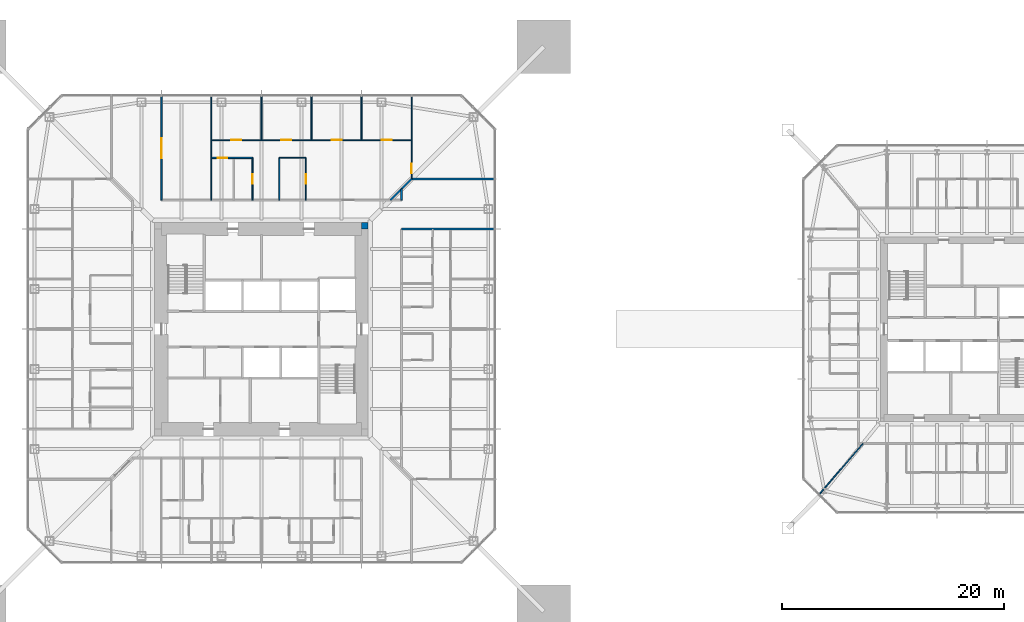
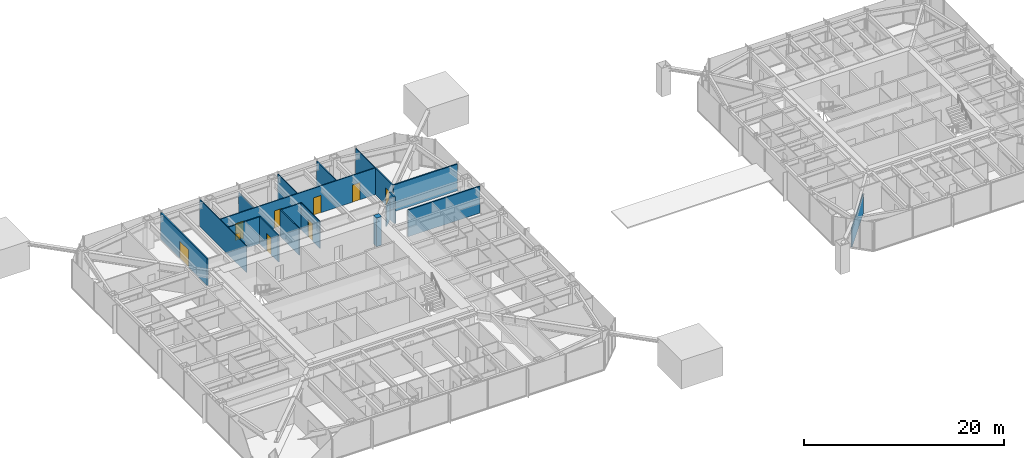
# One storey, part 16 of 25: 18 walls, 9 doors, 9 openings.
"""IFC4 building model written with IfcOpenShell, lengths in metres."""

from ifc_helpers import new_model, si_unit, direction, frame, frame_2d, origin, place, context, subcontext, project, spatial, rectangle, extrude, material, layer, layer_set, type_object, element, fill, save


model = new_model("IFC4")

# Units and contexts
model_context = context("Model", 3, precision=1e-05, world=origin(), true_north=direction((0.0, 1.0)))
body_context = subcontext(model_context, "Body", "Model", "MODEL_VIEW")
ifc_project = project(units=[si_unit("LENGTHUNIT", "METRE"), si_unit("AREAUNIT", "SQUARE_METRE"), si_unit("VOLUMEUNIT", "CUBIC_METRE"), si_unit("PLANEANGLEUNIT", "RADIAN"), si_unit("MASSUNIT", "GRAM", prefix="KILO")], contexts=[model_context])

# Site, building, storey
site_placement = place(None, origin())
site = spatial("IfcSite", under=ifc_project, at=site_placement, CompositionType="ELEMENT")
building_placement = place(site_placement, origin())
building = spatial("IfcBuilding", under=site, at=building_placement, Name="Iwan Alto Co-Living Towers", CompositionType="ELEMENT")
storey_placement = place(building_placement, frame((0.0, 0.0, 101.5)))
storey = spatial("IfcBuildingStorey", under=building, at=storey_placement, Name="L27", CompositionType="ELEMENT", Elevation=101.5)

# Walls
ifc_material_1 = material(Name="Gypsum board")
ifc_layer_1 = layer(ifc_material_1, 0.02490234375, Name="Board", Category="Finish")
ifc_material_2 = material(Name="Steel ASTM A1003 ST33H cold-formed studs", Category="steel")
ifc_layer_2 = layer(ifc_material_2, 0.10009765625, Name="Studs", Category="Framing")
ifc_layer_3 = layer(ifc_material_1, 0.02490234375, Name="Board", Category="Finish")
ifc_layer_set_1 = layer_set([ifc_layer_1, ifc_layer_2, ifc_layer_3], Name="CORRIDOR WALL 150")
wall_type_1 = type_object("IfcWallType", Name="CORRIDOR WALL 150", PredefinedType="PARTITIONING", material=ifc_layer_set_1)
wall_1_placement = place(storey_placement, frame((12.60009765625, 9.0, 0.0), z_axis=(0.0, 0.0, 1.0), x_axis=(1.0, 0.0, 0.0)))
element("IfcWall", 1, at=wall_1_placement, inside=storey, type_object=wall_type_1, Name="Partition L27", PredefinedType="PARTITIONING", context=body_context, shape_type="SweptSolid", body=[
    extrude(rectangle(XDim=8.33984375, YDim=0.14990234375, at=frame_2d((4.169921875, 0.0))), origin(), (0.0, 0.0, 1.0), 3.27001953125),
])
wall_2_placement = place(storey_placement, frame((13.5, 13.5, 0.0), z_axis=(0.0, 0.0, 1.0), x_axis=(1.0, 0.0, 0.0)))
element("IfcWall", 2, at=wall_2_placement, inside=storey, type_object=wall_type_1, Name="Partition L27", PredefinedType="PARTITIONING", context=body_context, shape_type="SweptSolid", body=[
    extrude(rectangle(XDim=7.43994140625, YDim=0.14990234375, at=frame_2d((3.719970703125, 0.0))), origin(), (0.0, 0.0, 1.0), 3.27001953125),
])
wall_3_placement = place(storey_placement, frame((11.60009765625, 11.60009765625, 0.0), z_axis=(0.0, 0.0, 1.0), x_axis=(0.707106781187, 0.707106781187, 0.0)))
element("IfcWall", 3, at=wall_3_placement, inside=storey, type_object=wall_type_1, Name="Partition L27", PredefinedType="PARTITIONING", context=body_context, shape_type="SweptSolid", body=[
    extrude(rectangle(XDim=2.686767578125, YDim=0.14990234375, at=frame_2d((1.34326171875, 0.0))), origin(), (0.0, 0.0, 1.0), 2.343017578125),
])
wall_4_placement = place(storey_placement, frame((12.60009765625, 11.60009765625, 0.0), z_axis=(0.0, 0.0, 1.0), x_axis=(0.0, 1.0, 0.0)))
element("IfcWall", 4, at=wall_4_placement, inside=storey, type_object=wall_type_1, Name="Partition L27", PredefinedType="PARTITIONING", context=body_context, shape_type="SweptSolid", body=[
    extrude(rectangle(XDim=1.0, YDim=0.14990234375, at=frame_2d((0.5, 0.0))), origin(), (0.0, 0.0, 1.0), 3.27001953125),
])

# Wall, opening, door
wall_5_placement = place(storey_placement, frame((-9.0, 11.60009765625, 0.0), z_axis=(0.0, 0.0, 1.0), x_axis=(0.0, 1.0, 0.0)))
wall_5 = element("IfcWall", 5, at=wall_5_placement, inside=storey, type_object=wall_type_1, Name="Partition L27", PredefinedType="PARTITIONING", context=body_context, shape_type="SweptSolid", body=[
    extrude(rectangle(XDim=9.33984375, YDim=0.14990234375, at=frame_2d((4.669921875, 0.0))), origin(), (0.0, 0.0, 1.0), 3.27001953125),
])
opening_1_placement = place(wall_5_placement, frame((3.77001953125, 0.0, 0.0)))
opening_1 = element("IfcOpeningElement", 6, at=opening_1_placement, cuts=wall_5, Name="Opening D9", PredefinedType="OPENING", context=body_context, shape_type="SweptSolid", body=[
    extrude(rectangle(XDim=1.800048828125, YDim=2.10009765625, at=frame_2d((0.89990234375, 1.050048828125))), frame((0.0, 0.0849609375, 0.0), z_axis=(0.0, -1.0, 0.0), x_axis=(1.0, 0.0, 0.0)), (0.0, 0.0, 1.0), 0.169921875),
])
ifc_material_3 = material(Name="Steel frame with timber leaf", Category="steel")
door_type_1 = type_object("IfcDoorType", Name="LOUNGE DOOR FD30S 1800X2100", OperationType="DOUBLE_DOOR_SINGLE_SWING", PredefinedType="DOOR", material=ifc_material_3)
door_1_placement = place(opening_1_placement, frame((1.800048828125, 0.0, 0.0), z_axis=(0.0, 0.0, 1.0), x_axis=(-1.0, 0.0, 0.0)))
door_1 = element("IfcDoor", 7, at=door_1_placement, inside=storey, type_object=door_type_1, Name="Seminar room door L27", OperationType="DOUBLE_DOOR_SINGLE_SWING", OverallHeight=2.10009765625, OverallWidth=1.800048828125, PredefinedType="DOOR", context=body_context, shape_type="SweptSolid", body=[
    extrude(rectangle(XDim=1.800048828125, YDim=2.10009765625, at=frame_2d((0.89990234375, 1.050048828125))), frame((0.0, 0.02490234375, 0.0), z_axis=(0.0, -1.0, 0.0), x_axis=(1.0, 0.0, 0.0)), (0.0, 0.0, 1.0), 0.050048828125),
])
fill(opening_1, door_1)

# Wall
ifc_layer_4 = layer(ifc_material_1, 0.012451171875, Name="Board", Category="Finish")
ifc_layer_5 = layer(ifc_material_2, 0.074951171875, Name="Studs", Category="Framing")
ifc_layer_6 = layer(ifc_material_1, 0.012451171875, Name="Board", Category="Finish")
ifc_layer_set_2 = layer_set([ifc_layer_4, ifc_layer_5, ifc_layer_6], Name="PARTITION 100")
wall_type_2 = type_object("IfcWallType", Name="PARTITION 100", PredefinedType="PARTITIONING", material=ifc_layer_set_2)
wall_6_placement = place(storey_placement, frame((1.60009765625, 15.39990234375, 0.0), z_axis=(0.0, 0.0, 1.0), x_axis=(1.0, 0.0, 0.0)))
element("IfcWall", 8, at=wall_6_placement, inside=storey, type_object=wall_type_2, Name="Partition L27", PredefinedType="PARTITIONING", context=body_context, shape_type="SweptSolid", body=[
    extrude(rectangle(XDim=2.39990234375, YDim=0.10009765625, at=frame_2d((1.199951171875, 0.0))), origin(), (0.0, 0.0, 1.0), 3.27001953125),
])

# Wall, openings, doors
wall_7_placement = place(storey_placement, frame((-4.5, 17.0, 0.0), z_axis=(0.0, 0.0, 1.0), x_axis=(1.0, 0.0, 0.0)))
wall_7 = element("IfcWall", 9, at=wall_7_placement, inside=storey, type_object=wall_type_2, Name="Partition L27", PredefinedType="PARTITIONING", context=body_context, shape_type="SweptSolid", body=[
    extrude(rectangle(XDim=18.0, YDim=0.10009765625, at=frame_2d((9.0, 0.0))), origin(), (0.0, 0.0, 1.0), 3.27001953125),
])
opening_2_placement = place(wall_7_placement, frame((15.300048828125, 0.0, 0.0)))
opening_2 = element("IfcOpeningElement", 10, at=opening_2_placement, cuts=wall_7, Name="Opening D1", PredefinedType="OPENING", context=body_context, shape_type="SweptSolid", body=[
    extrude(rectangle(XDim=0.89990234375, YDim=2.10009765625, at=frame_2d((0.449951171875, 1.050048828125))), frame((0.0, 0.06005859375, 0.0), z_axis=(0.0, -1.0, 0.0), x_axis=(1.0, 0.0, 0.0)), (0.0, 0.0, 1.0), 0.1201171875),
])
opening_3_placement = place(wall_7_placement, frame((10.800048828125, 0.0, 0.0)))
opening_3 = element("IfcOpeningElement", 11, at=opening_3_placement, cuts=wall_7, Name="Opening D1", PredefinedType="OPENING", context=body_context, shape_type="SweptSolid", body=[
    extrude(rectangle(XDim=0.89990234375, YDim=2.10009765625, at=frame_2d((0.449951171875, 1.050048828125))), frame((0.0, 0.06005859375, 0.0), z_axis=(0.0, -1.0, 0.0), x_axis=(1.0, 0.0, 0.0)), (0.0, 0.0, 1.0), 0.1201171875),
])
opening_4_placement = place(wall_7_placement, frame((6.300048828125, 0.0, 0.0)))
opening_4 = element("IfcOpeningElement", 12, at=opening_4_placement, cuts=wall_7, Name="Opening D1", PredefinedType="OPENING", context=body_context, shape_type="SweptSolid", body=[
    extrude(rectangle(XDim=0.89990234375, YDim=2.10009765625, at=frame_2d((0.449951171875, 1.050048828125))), frame((0.0, 0.06005859375, 0.0), z_axis=(0.0, -1.0, 0.0), x_axis=(1.0, 0.0, 0.0)), (0.0, 0.0, 1.0), 0.1201171875),
])
opening_5_placement = place(wall_7_placement, frame((1.800048828125, 0.0, 0.0)))
opening_5 = element("IfcOpeningElement", 13, at=opening_5_placement, cuts=wall_7, Name="Opening D1", PredefinedType="OPENING", context=body_context, shape_type="SweptSolid", body=[
    extrude(rectangle(XDim=0.89990234375, YDim=2.10009765625, at=frame_2d((0.449951171875, 1.050048828125))), frame((0.0, 0.06005859375, 0.0), z_axis=(0.0, -1.0, 0.0), x_axis=(1.0, 0.0, 0.0)), (0.0, 0.0, 1.0), 0.1201171875),
])
ifc_material_4 = material(Name="Timber leaf in steel frame", Category="steel")
door_type_2 = type_object("IfcDoorType", Name="BEDROOM DOOR 900X2100", OperationType="SINGLE_SWING_LEFT", PredefinedType="DOOR", material=ifc_material_4)
door_2_placement = place(opening_2_placement, frame((0.89990234375, 0.0, 0.0), z_axis=(0.0, 0.0, 1.0), x_axis=(-1.0, 0.0, 0.0)))
door_2 = element("IfcDoor", 14, at=door_2_placement, inside=storey, type_object=door_type_2, Name="Study bedroom door L27", OperationType="SINGLE_SWING_LEFT", OverallHeight=2.10009765625, OverallWidth=0.89990234375, PredefinedType="DOOR", context=body_context, shape_type="SweptSolid", body=[
    extrude(rectangle(XDim=0.89990234375, YDim=2.10009765625, at=frame_2d((0.449951171875, 1.050048828125))), frame((0.0, 0.02490234375, 0.0), z_axis=(0.0, -1.0, 0.0), x_axis=(1.0, 0.0, 0.0)), (0.0, 0.0, 1.0), 0.050048828125),
])
fill(opening_2, door_2)
door_3_placement = place(opening_3_placement, frame((0.89990234375, 0.0, 0.0), z_axis=(0.0, 0.0, 1.0), x_axis=(-1.0, 0.0, 0.0)))
door_3 = element("IfcDoor", 15, at=door_3_placement, inside=storey, type_object=door_type_2, Name="Study bedroom door L27", OperationType="SINGLE_SWING_LEFT", OverallHeight=2.10009765625, OverallWidth=0.89990234375, PredefinedType="DOOR", context=body_context, shape_type="SweptSolid", body=[
    extrude(rectangle(XDim=0.89990234375, YDim=2.10009765625, at=frame_2d((0.449951171875, 1.050048828125))), frame((0.0, 0.02490234375, 0.0), z_axis=(0.0, -1.0, 0.0), x_axis=(1.0, 0.0, 0.0)), (0.0, 0.0, 1.0), 0.050048828125),
])
fill(opening_3, door_3)
door_4_placement = place(opening_4_placement, frame((0.89990234375, 0.0, 0.0), z_axis=(0.0, 0.0, 1.0), x_axis=(-1.0, 0.0, 0.0)))
door_4 = element("IfcDoor", 16, at=door_4_placement, inside=storey, type_object=door_type_2, Name="Study bedroom door L27", OperationType="SINGLE_SWING_RIGHT", OverallHeight=2.10009765625, OverallWidth=0.89990234375, PredefinedType="DOOR", context=body_context, shape_type="SweptSolid", body=[
    extrude(rectangle(XDim=0.89990234375, YDim=2.10009765625, at=frame_2d((0.449951171875, 1.050048828125))), frame((0.0, 0.02490234375, 0.0), z_axis=(0.0, -1.0, 0.0), x_axis=(1.0, 0.0, 0.0)), (0.0, 0.0, 1.0), 0.050048828125),
])
fill(opening_4, door_4)
door_5_placement = place(opening_5_placement, frame((0.89990234375, 0.0, 0.0), z_axis=(0.0, 0.0, 1.0), x_axis=(-1.0, 0.0, 0.0)))
door_5 = element("IfcDoor", 17, at=door_5_placement, inside=storey, type_object=door_type_2, Name="Study bedroom door L27", OperationType="SINGLE_SWING_RIGHT", OverallHeight=2.10009765625, OverallWidth=0.89990234375, PredefinedType="DOOR", context=body_context, shape_type="SweptSolid", body=[
    extrude(rectangle(XDim=0.89990234375, YDim=2.10009765625, at=frame_2d((0.449951171875, 1.050048828125))), frame((0.0, 0.02490234375, 0.0), z_axis=(0.0, -1.0, 0.0), x_axis=(1.0, 0.0, 0.0)), (0.0, 0.0, 1.0), 0.050048828125),
])
fill(opening_5, door_5)

# Wall
wall_8_placement = place(storey_placement, frame((50.179931640625, -14.844970703125, 0.0), z_axis=(0.0, 0.0, 1.0), x_axis=(0.653585997703, 0.756852260092, 0.0)))
element("IfcWall", 18, at=wall_8_placement, inside=storey, type_object=wall_type_2, Name="Partition L27", PredefinedType="PARTITIONING", context=body_context, shape_type="SweptSolid", body=[
    extrude(rectangle(XDim=6.005126953125, YDim=0.10009765625, at=frame_2d((3.00244140625, 0.0))), origin(), (0.0, 0.0, 1.0), 2.42919921875),
])

# Wall, opening, door
wall_9_placement = place(storey_placement, frame((13.5, 13.5, 0.0), z_axis=(0.0, 0.0, 1.0), x_axis=(0.0, 1.0, 0.0)))
wall_9 = element("IfcWall", 19, at=wall_9_placement, inside=storey, type_object=wall_type_2, Name="Partition L27", PredefinedType="PARTITIONING", context=body_context, shape_type="SweptSolid", body=[
    extrude(rectangle(XDim=7.43994140625, YDim=0.10009765625, at=frame_2d((3.719970703125, 0.0))), origin(), (0.0, 0.0, 1.0), 3.27001953125),
])
opening_6_placement = place(wall_9_placement, frame((0.52490234375, 0.0, 0.0)))
opening_6 = element("IfcOpeningElement", 20, at=opening_6_placement, cuts=wall_9, Name="Opening D2", PredefinedType="OPENING", context=body_context, shape_type="SweptSolid", body=[
    extrude(rectangle(XDim=0.85009765625, YDim=2.10009765625, at=frame_2d((0.425048828125, 1.050048828125))), frame((0.0, 0.06005859375, 0.0), z_axis=(0.0, -1.0, 0.0), x_axis=(1.0, 0.0, 0.0)), (0.0, 0.0, 1.0), 0.1201171875),
])
ifc_material_5 = material(Name="Timber leaf in steel frame", Category="steel")
door_type_3 = type_object("IfcDoorType", Name="ROOM DOOR 850X2100", OperationType="SINGLE_SWING_LEFT", PredefinedType="DOOR", material=ifc_material_5)
door_6_placement = place(opening_6_placement, origin())
door_6 = element("IfcDoor", 21, at=door_6_placement, inside=storey, type_object=door_type_3, Name="Shared kitchen and lounge door L27", OperationType="SINGLE_SWING_LEFT", OverallHeight=2.10009765625, OverallWidth=0.85009765625, PredefinedType="DOOR", context=body_context, shape_type="SweptSolid", body=[
    extrude(rectangle(XDim=0.85009765625, YDim=2.10009765625, at=frame_2d((0.425048828125, 1.050048828125))), frame((0.0, 0.02490234375, 0.0), z_axis=(0.0, -1.0, 0.0), x_axis=(1.0, 0.0, 0.0)), (0.0, 0.0, 1.0), 0.050048828125),
])
fill(opening_6, door_6)

# Walls
for number, where, z_axis, x_axis, name in (
    (22, (9.0, 17.0, 0.0), (0.0, 0.0, 1.0), (0.0, 1.0, 0.0), "Partition L27"),
    (23, (4.5, 17.0, 0.0), (0.0, 0.0, 1.0), (0.0, 1.0, 0.0), "Partition L27"),
):
    element("IfcWall", number, at=place(storey_placement, frame(where, z_axis=z_axis, x_axis=x_axis)), inside=storey, type_object=wall_type_2, Name=name, PredefinedType="PARTITIONING", context=body_context, shape_type="SweptSolid", body=[
        extrude(rectangle(XDim=3.93994140625, YDim=0.10009765625, at=frame_2d((1.969970703125, 0.0))), origin(), (0.0, 0.0, 1.0), 3.27001953125),
    ])

# Wall, opening, door
wall_10_placement = place(storey_placement, frame((4.0, 11.60009765625, 0.0), z_axis=(0.0, 0.0, 1.0), x_axis=(0.0, 1.0, 0.0)))
wall_10 = element("IfcWall", 24, at=wall_10_placement, inside=storey, type_object=wall_type_2, Name="Partition L27", PredefinedType="PARTITIONING", context=body_context, shape_type="SweptSolid", body=[
    extrude(rectangle(XDim=3.7998046875, YDim=0.10009765625, at=frame_2d((1.89990234375, 0.0))), origin(), (0.0, 0.0, 1.0), 3.27001953125),
])
opening_7_placement = place(wall_10_placement, frame((1.47509765625, 0.0, 0.0)))
opening_7 = element("IfcOpeningElement", 25, at=opening_7_placement, cuts=wall_10, Name="Opening D2", PredefinedType="OPENING", context=body_context, shape_type="SweptSolid", body=[
    extrude(rectangle(XDim=0.85009765625, YDim=2.10009765625, at=frame_2d((0.425048828125, 1.050048828125))), frame((0.0, 0.06005859375, 0.0), z_axis=(0.0, -1.0, 0.0), x_axis=(1.0, 0.0, 0.0)), (0.0, 0.0, 1.0), 0.1201171875),
])
door_7_placement = place(opening_7_placement, frame((0.85009765625, 0.0, 0.0), z_axis=(0.0, 0.0, 1.0), x_axis=(-1.0, 0.0, 0.0)))
door_7 = element("IfcDoor", 26, at=door_7_placement, inside=storey, type_object=door_type_3, Name="Study room door L27", OperationType="SINGLE_SWING_RIGHT", OverallHeight=2.10009765625, OverallWidth=0.85009765625, PredefinedType="DOOR", context=body_context, shape_type="SweptSolid", body=[
    extrude(rectangle(XDim=0.85009765625, YDim=2.10009765625, at=frame_2d((0.425048828125, 1.050048828125))), frame((0.0, 0.02490234375, 0.0), z_axis=(0.0, -1.0, 0.0), x_axis=(1.0, 0.0, 0.0)), (0.0, 0.0, 1.0), 0.050048828125),
])
fill(opening_7, door_7)

# Walls
wall_11_placement = place(storey_placement, frame((1.60009765625, 11.60009765625, 0.0), z_axis=(0.0, 0.0, 1.0), x_axis=(0.0, 1.0, 0.0)))
element("IfcWall", 27, at=wall_11_placement, inside=storey, type_object=wall_type_2, Name="Partition L27", PredefinedType="PARTITIONING", context=body_context, shape_type="SweptSolid", body=[
    extrude(rectangle(XDim=3.7998046875, YDim=0.10009765625, at=frame_2d((1.89990234375, 0.0))), origin(), (0.0, 0.0, 1.0), 3.27001953125),
])
wall_12_placement = place(storey_placement, frame((0.0, 17.0, 0.0), z_axis=(0.0, 0.0, 1.0), x_axis=(0.0, 1.0, 0.0)))
element("IfcWall", 28, at=wall_12_placement, inside=storey, type_object=wall_type_2, Name="Partition L27", PredefinedType="PARTITIONING", context=body_context, shape_type="SweptSolid", body=[
    extrude(rectangle(XDim=3.93994140625, YDim=0.10009765625, at=frame_2d((1.969970703125, 0.0))), origin(), (0.0, 0.0, 1.0), 2.586669921875),
])
wall_13_placement = place(storey_placement, frame((-4.5, 11.60009765625, 0.0), z_axis=(0.0, 0.0, 1.0), x_axis=(0.0, 1.0, 0.0)))
element("IfcWall", 29, at=wall_13_placement, inside=storey, type_object=wall_type_2, Name="Partition L27", PredefinedType="PARTITIONING", context=body_context, shape_type="SweptSolid", body=[
    extrude(rectangle(XDim=9.33984375, YDim=0.10009765625, at=frame_2d((4.669921875, 0.0))), origin(), (0.0, 0.0, 1.0), 3.27001953125),
])
ifc_material_6 = material(Name="Concrete f'c 70 MPa", Category="concrete")
ifc_layer_7 = layer(ifc_material_6, 0.60009765625)
ifc_layer_set_3 = layer_set([ifc_layer_7], Name="T1 CORE CORNER FILL 600")
wall_type_3 = type_object("IfcWallType", Name="T1 CORE CORNER FILL 600", PredefinedType="SOLIDWALL", material=ifc_layer_set_3)
wall_14_placement = place(storey_placement, frame((9.0, 9.300048828125, 0.0), z_axis=(0.0, 0.0, 1.0), x_axis=(1.0, 0.0, 0.0)))
element("IfcWall", 30, at=wall_14_placement, inside=storey, type_object=wall_type_3, Name="T1 core corner NE L27", PredefinedType="SOLIDWALL", context=body_context, shape_type="SweptSolid", body=[
    extrude(rectangle(XDim=0.60009765625, YDim=0.60009765625, at=frame_2d((0.300048828125, 0.0))), origin(), (0.0, 0.0, 1.0), 3.5),
])

# Wall, opening, door
ifc_material_7 = material(Name="Cement board")
ifc_layer_8 = layer(ifc_material_7, 0.012451171875, Name="Board", Category="Finish")
ifc_layer_9 = layer(ifc_material_2, 0.094970703125, Name="Studs", Category="Framing")
ifc_layer_10 = layer(ifc_material_7, 0.012451171875, Name="Board", Category="Finish")
ifc_layer_set_4 = layer_set([ifc_layer_8, ifc_layer_9, ifc_layer_10], Name="WET AREA PARTITION 120")
wall_type_4 = type_object("IfcWallType", Name="WET AREA PARTITION 120", PredefinedType="PARTITIONING", material=ifc_layer_set_4)
wall_15_placement = place(storey_placement, frame((-4.5, 15.39990234375, 0.0), z_axis=(0.0, 0.0, 1.0), x_axis=(1.0, 0.0, 0.0)))
wall_15 = element("IfcWall", 31, at=wall_15_placement, inside=storey, type_object=wall_type_4, Name="Partition L27", PredefinedType="PARTITIONING", context=body_context, shape_type="SweptSolid", body=[
    extrude(rectangle(XDim=3.699951171875, YDim=0.1201171875, at=frame_2d((1.85009765625, 0.0))), origin(), (0.0, 0.0, 1.0), 3.27001953125),
])
opening_8_placement = place(wall_15_placement, frame((0.574951171875, 0.0, 0.0)))
opening_8 = element("IfcOpeningElement", 32, at=opening_8_placement, cuts=wall_15, Name="Opening D2", PredefinedType="OPENING", context=body_context, shape_type="SweptSolid", body=[
    extrude(rectangle(XDim=0.85009765625, YDim=2.10009765625, at=frame_2d((0.425048828125, 1.050048828125))), frame((0.0, 0.070068359375, 0.0), z_axis=(0.0, -1.0, 0.0), x_axis=(1.0, 0.0, 0.0)), (0.0, 0.0, 1.0), 0.14013671875),
])
door_8_placement = place(opening_8_placement, origin())
door_8 = element("IfcDoor", 33, at=door_8_placement, inside=storey, type_object=door_type_3, Name="Laundry door L27", OperationType="SINGLE_SWING_LEFT", OverallHeight=2.10009765625, OverallWidth=0.85009765625, PredefinedType="DOOR", context=body_context, shape_type="SweptSolid", body=[
    extrude(rectangle(XDim=0.85009765625, YDim=2.10009765625, at=frame_2d((0.425048828125, 1.050048828125))), frame((0.0, 0.02490234375, 0.0), z_axis=(0.0, -1.0, 0.0), x_axis=(1.0, 0.0, 0.0)), (0.0, 0.0, 1.0), 0.050048828125),
])
fill(opening_8, door_8)

wall_16_placement = place(storey_placement, frame((-0.800048828125, 11.60009765625, 0.0), z_axis=(0.0, 0.0, 1.0), x_axis=(0.0, 1.0, 0.0)))
wall_16 = element("IfcWall", 34, at=wall_16_placement, inside=storey, type_object=wall_type_4, Name="Partition L27", PredefinedType="PARTITIONING", context=body_context, shape_type="SweptSolid", body=[
    extrude(rectangle(XDim=3.7998046875, YDim=0.1201171875, at=frame_2d((1.89990234375, 0.0))), origin(), (0.0, 0.0, 1.0), 3.27001953125),
])
opening_9_placement = place(wall_16_placement, frame((1.47509765625, 0.0, 0.0)))
opening_9 = element("IfcOpeningElement", 35, at=opening_9_placement, cuts=wall_16, Name="Opening D2", PredefinedType="OPENING", context=body_context, shape_type="SweptSolid", body=[
    extrude(rectangle(XDim=0.85009765625, YDim=2.10009765625, at=frame_2d((0.425048828125, 1.050048828125))), frame((0.0, 0.070068359375, 0.0), z_axis=(0.0, -1.0, 0.0), x_axis=(1.0, 0.0, 0.0)), (0.0, 0.0, 1.0), 0.14013671875),
])
door_9_placement = place(opening_9_placement, frame((0.85009765625, 0.0, 0.0), z_axis=(0.0, 0.0, 1.0), x_axis=(-1.0, 0.0, 0.0)))
door_9 = element("IfcDoor", 36, at=door_9_placement, inside=storey, type_object=door_type_3, Name="Bathroom door L27", OperationType="SINGLE_SWING_RIGHT", OverallHeight=2.10009765625, OverallWidth=0.85009765625, PredefinedType="DOOR", context=body_context, shape_type="SweptSolid", body=[
    extrude(rectangle(XDim=0.85009765625, YDim=2.10009765625, at=frame_2d((0.425048828125, 1.050048828125))), frame((0.0, 0.02490234375, 0.0), z_axis=(0.0, -1.0, 0.0), x_axis=(1.0, 0.0, 0.0)), (0.0, 0.0, 1.0), 0.050048828125),
])
fill(opening_9, door_9)

save(model, "model.ifc")
